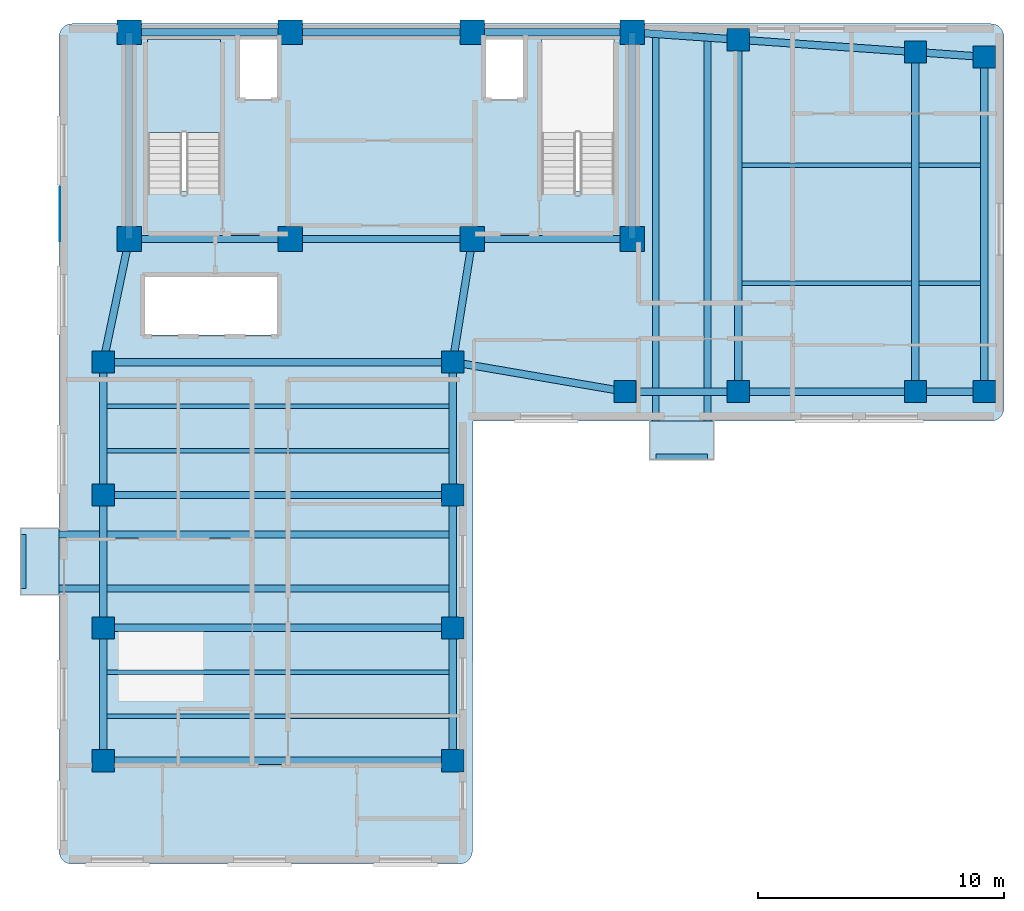
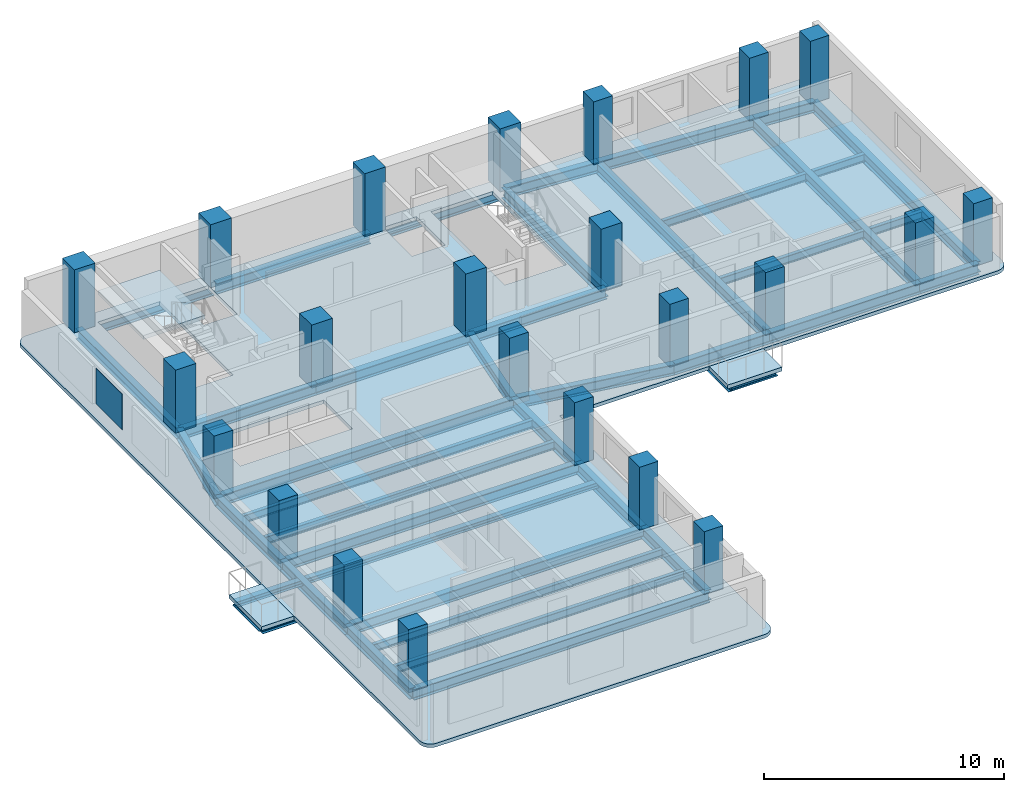
# One storey, part 1 of 7: 44 beams, 23 columns, 4 slabs, 1 plate, 1 element without a shape of its own.
"""IFC4 building model written with IfcOpenShell, lengths in metres."""

from ifc_helpers import new_model, si_unit, direction, frame, origin, origin_2d, place, context, subcontext, project, spatial, polyline, rectangle, i_section, outline, extrude, material, layer, layer_set, material_profile, profile_set, type_object, element, aggregate, save


model = new_model("IFC4")

# Units and contexts
model_context = context("Model", 3, precision=1e-05, world=origin(), true_north=direction((0.0, 1.0)))
body_context = subcontext(model_context, "Body", "Model", "MODEL_VIEW")
ifc_project = project(units=[si_unit("LENGTHUNIT", "METRE"), si_unit("AREAUNIT", "SQUARE_METRE"), si_unit("VOLUMEUNIT", "CUBIC_METRE"), si_unit("PLANEANGLEUNIT", "RADIAN"), si_unit("MASSUNIT", "GRAM", prefix="KILO")], contexts=[model_context])

# Site, building, storey
site_placement = place(None, origin())
site = spatial("IfcSite", under=ifc_project, at=site_placement, CompositionType="ELEMENT")
building_placement = place(site_placement, origin())
building = spatial("IfcBuilding", under=site, at=building_placement, Name="Kuzgunbayir Cultural Tower", CompositionType="ELEMENT")
storey_placement = place(building_placement, frame((0.0, 0.0, 185.60009765625)))
storey = spatial("IfcBuildingStorey", under=building, at=storey_placement, Name="L54", CompositionType="ELEMENT", Elevation=185.60009765625)

# Columns
ifc_material_1 = material(Name="Concrete C50/60", Category="concrete")
ifc_material_profile_1 = material_profile(ifc_material_1, rectangle(XDim=1.0, YDim=1.0, at=origin_2d()), Name="RC 1000x1000")
ifc_profile_set_1 = profile_set([ifc_material_profile_1], Name="Concrete C50/60")
column_type_1 = type_object("IfcColumnType", Name="COL-CORE-1000", PredefinedType="COLUMN", material=ifc_profile_set_1)
for number, where, z_axis, x_axis, name in (
    (1, (6.449951171875, 33.800048828125, 0.0), (0.0, 0.0, 1.0), (1.0, 0.0, 0.0), "L54 T1 Core Boundary Column CC1-1"),
    (2, (13.0, 33.800048828125, 0.0), (0.0, 0.0, 1.0), (1.0, 0.0, 0.0), "L54 T1 Core Boundary Column CC1-2"),
    (3, (20.39990234375, 33.800048828125, 0.0), (0.0, 0.0, 1.0), (1.0, 0.0, 0.0), "L54 T1 Core Boundary Column CC1-3"),
    (4, (26.89990234375, 33.800048828125, 0.0), (0.0, 0.0, 1.0), (1.0, 0.0, 0.0), "L54 T1 Core Boundary Column CC1-4"),
    (5, (6.449951171875, 42.199951171875, 0.0), (0.0, 0.0, 1.0), (1.0, 0.0, 0.0), "L54 T1 Core Boundary Column CC1-5"),
    (6, (13.0, 42.199951171875, 0.0), (0.0, 0.0, 1.0), (1.0, 0.0, 0.0), "L54 T1 Core Boundary Column CC1-6"),
    (7, (20.39990234375, 42.199951171875, 0.0), (0.0, 0.0, 1.0), (1.0, 0.0, 0.0), "L54 T1 Core Boundary Column CC1-7"),
    (8, (26.89990234375, 42.199951171875, 0.0), (0.0, 0.0, 1.0), (1.0, 0.0, 0.0), "L54 T1 Core Boundary Column CC1-8"),
):
    element("IfcColumn", number, at=place(storey_placement, frame(where, z_axis=z_axis, x_axis=x_axis)), inside=storey, type_object=column_type_1, Name=name, PredefinedType="COLUMN", context=body_context, shape_type="SweptSolid", body=[
        extrude(rectangle(XDim=1.0, YDim=1.0, at=origin_2d()), origin(), (0.0, 0.0, 1.0), 3.199951171875),
    ])
ifc_material_profile_2 = material_profile(ifc_material_1, rectangle(XDim=0.89990234375, YDim=0.89990234375, at=origin_2d()), Name="RC 900x900")
ifc_profile_set_2 = profile_set([ifc_material_profile_2], Name="Concrete C50/60")
column_type_2 = type_object("IfcColumnType", Name="COL-T1-900", PredefinedType="COLUMN", material=ifc_profile_set_2)
for number, where, z_axis, x_axis, name in (
    (9, (5.39990234375, 12.60009765625, 0.0), (0.0, 0.0, 1.0), (1.0, 0.0, 0.0), "L54 Tower 1 Wing A Column T1A-W-1"),
    (10, (19.60009765625, 12.60009765625, 0.0), (0.0, 0.0, 1.0), (1.0, 0.0, 0.0), "L54 Tower 1 Wing A Column T1A-E-1"),
    (11, (5.39990234375, 18.0, 0.0), (0.0, 0.0, 1.0), (1.0, 0.0, 0.0), "L54 Tower 1 Wing A Column T1A-W-2"),
    (12, (19.60009765625, 18.0, 0.0), (0.0, 0.0, 1.0), (1.0, 0.0, 0.0), "L54 Tower 1 Wing A Column T1A-E-2"),
    (13, (5.39990234375, 23.39990234375, 0.0), (0.0, 0.0, 1.0), (1.0, 0.0, 0.0), "L54 Tower 1 Wing A Column T1A-W-3"),
    (14, (19.60009765625, 23.39990234375, 0.0), (0.0, 0.0, 1.0), (1.0, 0.0, 0.0), "L54 Tower 1 Wing A Column T1A-E-3"),
    (15, (5.39990234375, 28.800048828125, 0.0), (0.0, 0.0, 1.0), (1.0, 0.0, 0.0), "L54 Tower 1 Wing A Column T1A-W-4"),
    (16, (19.60009765625, 28.800048828125, 0.0), (0.0, 0.0, 1.0), (1.0, 0.0, 0.0), "L54 Tower 1 Wing A Column T1A-E-4"),
    (17, (26.60009765625, 27.60009765625, 0.0), (0.0, 0.0, 1.0), (1.0, 0.0, 0.0), "L54 Tower 1 Wing B Column T1B-1-1"),
    (18, (31.199951171875, 27.60009765625, 0.0), (0.0, 0.0, 1.0), (1.0, 0.0, 0.0), "L54 Tower 1 Wing B Column T1B-2-1"),
    (19, (31.199951171875, 41.89990234375, 0.0), (0.0, 0.0, 1.0), (1.0, 0.0, 0.0), "L54 Tower 1 Wing B Column T1B-2-2"),
    (20, (38.39990234375, 27.60009765625, 0.0), (0.0, 0.0, 1.0), (1.0, 0.0, 0.0), "L54 Tower 1 Wing B Column T1B-3-1"),
    (21, (38.39990234375, 41.39990234375, 0.0), (0.0, 0.0, 1.0), (1.0, 0.0, 0.0), "L54 Tower 1 Wing B Column T1B-3-2"),
    (22, (41.199951171875, 27.60009765625, 0.0), (0.0, 0.0, 1.0), (1.0, 0.0, 0.0), "L54 Tower 1 Wing B Column T1B-4-1"),
    (23, (41.199951171875, 41.199951171875, 0.0), (0.0, 0.0, 1.0), (1.0, 0.0, 0.0), "L54 Tower 1 Wing B Column T1B-4-2"),
):
    element("IfcColumn", number, at=place(storey_placement, frame(where, z_axis=z_axis, x_axis=x_axis)), inside=storey, type_object=column_type_2, Name=name, PredefinedType="COLUMN", context=body_context, shape_type="SweptSolid", body=[
        extrude(rectangle(XDim=0.89990234375, YDim=0.89990234375, at=origin_2d()), origin(), (0.0, 0.0, 1.0), 3.199951171875),
    ])

# Beams
ifc_material_2 = material(Name="Steel S355J2", Category="steel")
ifc_material_profile_3 = material_profile(ifc_material_2, i_section(OverallWidth=0.280029296875, OverallDepth=0.280029296875, WebThickness=0.010498046875, FlangeThickness=0.01806640625, FilletRadius=0.02392578125, at=origin_2d()), Name="HEB 280")
ifc_profile_set_3 = profile_set([ifc_material_profile_3], Name="Steel S355J2")
beam_type_1 = type_object("IfcBeamType", Name="BM-BAL-HEB280", PredefinedType="BEAM", material=ifc_profile_set_3)
for number, where, z_axis, x_axis, name in (
    (24, (2.159912109375, 19.60009765625, -0.340087890625), (1.0, 0.0, 0.0), (0.0, 1.0, 0.0), "L54 Balcony Outrigger Beam BAL-L54-WA2.1"),
    (25, (2.159912109375, 21.800048828125, -0.340087890625), (1.0, 0.0, 0.0), (0.0, 1.0, 0.0), "L54 Balcony Outrigger Beam BAL-L54-WA2.2"),
):
    element("IfcBeam", number, at=place(storey_placement, frame(where, z_axis=z_axis, x_axis=x_axis)), inside=storey, type_object=beam_type_1, Name=name, PredefinedType="BEAM", context=body_context, shape_type="SweptSolid", body=[
        extrude(i_section(OverallWidth=0.280029296875, OverallDepth=0.280029296875, WebThickness=0.010498046875, FlangeThickness=0.01806640625, FilletRadius=0.02392578125, at=origin_2d()), origin(), (0.0, 0.0, 1.0), 17.440185546875),
    ])
beam_1_placement = place(storey_placement, frame((27.85009765625, 24.9599609375, -0.340087890625), z_axis=(0.0, 1.0, 0.0), x_axis=(-1.0, 0.0, 0.0)))
element("IfcBeam", 26, at=beam_1_placement, inside=storey, type_object=beam_type_1, Name="L54 Balcony Outrigger Beam BAL-L54-WB1.1", PredefinedType="BEAM", context=body_context, shape_type="SweptSolid", body=[
    extrude(i_section(OverallWidth=0.280029296875, OverallDepth=0.280029296875, WebThickness=0.010498046875, FlangeThickness=0.01806640625, FilletRadius=0.02392578125, at=origin_2d()), origin(), (0.0, 0.0, 1.0), 17.169921875),
])
beam_2_placement = place(storey_placement, frame((29.949951171875, 24.9599609375, -0.340087890625), z_axis=(0.0, 1.0, 0.0), x_axis=(-1.0, 0.0, 0.0)))
element("IfcBeam", 27, at=beam_2_placement, inside=storey, type_object=beam_type_1, Name="L54 Balcony Outrigger Beam BAL-L54-WB1.2", PredefinedType="BEAM", context=body_context, shape_type="SweptSolid", body=[
    extrude(i_section(OverallWidth=0.280029296875, OverallDepth=0.280029296875, WebThickness=0.010498046875, FlangeThickness=0.01806640625, FilletRadius=0.02392578125, at=origin_2d()), origin(), (0.0, 0.0, 1.0), 17.030029296875),
])
ifc_material_profile_4 = material_profile(ifc_material_2, i_section(OverallWidth=0.199951171875, OverallDepth=0.199951171875, WebThickness=0.009033203125, FlangeThickness=0.014892578125, FilletRadius=0.01806640625, at=origin_2d()), Name="HEB 200")
ifc_profile_set_4 = profile_set([ifc_material_profile_4], Name="Steel S355J2")
beam_type_2 = type_object("IfcBeamType", Name="BM-CAN-HEB200", PredefinedType="BEAM", material=ifc_profile_set_4)
beam_3_placement = place(storey_placement, frame((2.159912109375, 19.60009765625, -0.300048828125), z_axis=(0.0, 1.0, 0.0), x_axis=(-1.0, 0.0, 0.0)))
element("IfcBeam", 28, at=beam_3_placement, inside=storey, type_object=beam_type_2, Name="L54 Balcony Edge Header BAL-L54-WA2", PredefinedType="BEAM", context=body_context, shape_type="SweptSolid", body=[
    extrude(i_section(OverallWidth=0.199951171875, OverallDepth=0.199951171875, WebThickness=0.009033203125, FlangeThickness=0.014892578125, FilletRadius=0.01806640625, at=origin_2d()), origin(), (0.0, 0.0, 1.0), 2.199951171875),
])
beam_4_placement = place(storey_placement, frame((27.85009765625, 24.9599609375, -0.300048828125), z_axis=(1.0, 0.0, 0.0), x_axis=(0.0, 1.0, 0.0)))
element("IfcBeam", 29, at=beam_4_placement, inside=storey, type_object=beam_type_2, Name="L54 Balcony Edge Header BAL-L54-WB1", PredefinedType="BEAM", context=body_context, shape_type="SweptSolid", body=[
    extrude(i_section(OverallWidth=0.199951171875, OverallDepth=0.199951171875, WebThickness=0.009033203125, FlangeThickness=0.014892578125, FilletRadius=0.01806640625, at=origin_2d()), origin(), (0.0, 0.0, 1.0), 2.099853515625),
])
ifc_material_profile_5 = material_profile(ifc_material_2, i_section(OverallWidth=0.300048828125, OverallDepth=0.550048828125, WebThickness=0.014892578125, FlangeThickness=0.029052734375, FilletRadius=0.027099609375, at=origin_2d()), Name="HEB 550")
ifc_profile_set_5 = profile_set([ifc_material_profile_5], Name="Steel S355J2")
beam_type_3 = type_object("IfcBeamType", Name="BM-EXT-HEB550", PredefinedType="BEAM", material=ifc_profile_set_5)
for number, where, z_axis, x_axis, name in (
    (30, (5.39990234375, 12.60009765625, -0.460205078125), (0.0, 1.0, 0.0), (-1.0, 0.0, 0.0), "L54 Wing A West Girder 1"),
    (31, (19.60009765625, 12.60009765625, -0.460205078125), (0.0, 1.0, 0.0), (-1.0, 0.0, 0.0), "L54 Wing A East Girder 1"),
    (32, (5.39990234375, 18.0, -0.460205078125), (0.0, 1.0, 0.0), (-1.0, 0.0, 0.0), "L54 Wing A West Girder 2"),
    (33, (19.60009765625, 18.0, -0.460205078125), (0.0, 1.0, 0.0), (-1.0, 0.0, 0.0), "L54 Wing A East Girder 2"),
):
    element("IfcBeam", number, at=place(storey_placement, frame(where, z_axis=z_axis, x_axis=x_axis)), inside=storey, type_object=beam_type_3, Name=name, PredefinedType="BEAM", context=body_context, shape_type="SweptSolid", body=[
        extrude(i_section(OverallWidth=0.300048828125, OverallDepth=0.550048828125, WebThickness=0.014892578125, FlangeThickness=0.029052734375, FilletRadius=0.027099609375, at=origin_2d()), origin(), (0.0, 0.0, 1.0), 5.39990234375),
    ])
for number, where, z_axis, x_axis, name in (
    (34, (5.39990234375, 23.39990234375, -0.460205078125), (0.0, 1.0, 0.0), (-1.0, 0.0, 0.0), "L54 Wing A West Girder 3"),
    (35, (19.60009765625, 23.39990234375, -0.460205078125), (0.0, 1.0, 0.0), (-1.0, 0.0, 0.0), "L54 Wing A East Girder 3"),
):
    element("IfcBeam", number, at=place(storey_placement, frame(where, z_axis=z_axis, x_axis=x_axis)), inside=storey, type_object=beam_type_3, Name=name, PredefinedType="BEAM", context=body_context, shape_type="SweptSolid", body=[
        extrude(i_section(OverallWidth=0.300048828125, OverallDepth=0.550048828125, WebThickness=0.014892578125, FlangeThickness=0.029052734375, FilletRadius=0.027099609375, at=origin_2d()), origin(), (0.0, 0.0, 1.0), 5.400146484375),
    ])
beam_5_placement = place(storey_placement, frame((26.60009765625, 27.60009765625, -0.460205078125), z_axis=(1.0, 0.0, 0.0), x_axis=(0.0, 1.0, 0.0)))
element("IfcBeam", 36, at=beam_5_placement, inside=storey, type_object=beam_type_3, Name="L54 Wing B South Girder 1", PredefinedType="BEAM", context=body_context, shape_type="SweptSolid", body=[
    extrude(i_section(OverallWidth=0.300048828125, OverallDepth=0.550048828125, WebThickness=0.014892578125, FlangeThickness=0.029052734375, FilletRadius=0.027099609375, at=origin_2d()), origin(), (0.0, 0.0, 1.0), 4.599853515625),
])
beam_6_placement = place(storey_placement, frame((26.89990234375, 42.199951171875, -0.460205078125), z_axis=(0.997574369175, -0.069608749203, 0.0), x_axis=(0.069608749203, 0.997574369175, 0.0)))
element("IfcBeam", 37, at=beam_6_placement, inside=storey, type_object=beam_type_3, Name="L54 Wing B North Girder 1", PredefinedType="BEAM", context=body_context, shape_type="SweptSolid", body=[
    extrude(i_section(OverallWidth=0.300048828125, OverallDepth=0.550048828125, WebThickness=0.014892578125, FlangeThickness=0.029052734375, FilletRadius=0.027099609375, at=origin_2d()), origin(), (0.0, 0.0, 1.0), 4.310546875),
])
beam_7_placement = place(storey_placement, frame((31.199951171875, 27.60009765625, -0.460205078125), z_axis=(1.0, 0.0, 0.0), x_axis=(0.0, 1.0, 0.0)))
element("IfcBeam", 38, at=beam_7_placement, inside=storey, type_object=beam_type_3, Name="L54 Wing B South Girder 2", PredefinedType="BEAM", context=body_context, shape_type="SweptSolid", body=[
    extrude(i_section(OverallWidth=0.300048828125, OverallDepth=0.550048828125, WebThickness=0.014892578125, FlangeThickness=0.029052734375, FilletRadius=0.027099609375, at=origin_2d()), origin(), (0.0, 0.0, 1.0), 7.199951171875),
])
beam_8_placement = place(storey_placement, frame((31.199951171875, 41.89990234375, -0.460205078125), z_axis=(0.997597388498, -0.069278066245, 0.0), x_axis=(0.069278066245, 0.997597388498, 0.0)))
element("IfcBeam", 39, at=beam_8_placement, inside=storey, type_object=beam_type_3, Name="L54 Wing B North Girder 2", PredefinedType="BEAM", context=body_context, shape_type="SweptSolid", body=[
    extrude(i_section(OverallWidth=0.300048828125, OverallDepth=0.550048828125, WebThickness=0.014892578125, FlangeThickness=0.029052734375, FilletRadius=0.027099609375, at=origin_2d()), origin(), (0.0, 0.0, 1.0), 7.21728515625),
])
beam_9_placement = place(storey_placement, frame((38.39990234375, 27.60009765625, -0.460205078125), z_axis=(1.0, 0.0, 0.0), x_axis=(0.0, 1.0, 0.0)))
element("IfcBeam", 40, at=beam_9_placement, inside=storey, type_object=beam_type_3, Name="L54 Wing B South Girder 3", PredefinedType="BEAM", context=body_context, shape_type="SweptSolid", body=[
    extrude(i_section(OverallWidth=0.300048828125, OverallDepth=0.550048828125, WebThickness=0.014892578125, FlangeThickness=0.029052734375, FilletRadius=0.027099609375, at=origin_2d()), origin(), (0.0, 0.0, 1.0), 2.800048828125),
])
beam_10_placement = place(storey_placement, frame((38.39990234375, 41.39990234375, -0.460205078125), z_axis=(0.997460024076, -0.071228508128, 0.0), x_axis=(0.071228508128, 0.997460024076, 0.0)))
element("IfcBeam", 41, at=beam_10_placement, inside=storey, type_object=beam_type_3, Name="L54 Wing B North Girder 3", PredefinedType="BEAM", context=body_context, shape_type="SweptSolid", body=[
    extrude(i_section(OverallWidth=0.300048828125, OverallDepth=0.550048828125, WebThickness=0.014892578125, FlangeThickness=0.029052734375, FilletRadius=0.027099609375, at=origin_2d()), origin(), (0.0, 0.0, 1.0), 2.80712890625),
])
ifc_material_profile_6 = material_profile(ifc_material_2, i_section(OverallWidth=0.300048828125, OverallDepth=0.550048828125, WebThickness=0.014892578125, FlangeThickness=0.029052734375, FilletRadius=0.027099609375, at=origin_2d()), Name="HEB 550")
ifc_profile_set_6 = profile_set([ifc_material_profile_6], Name="Steel S355J2")
beam_type_4 = type_object("IfcBeamType", Name="BM-GIR-HEB550", PredefinedType="BEAM", material=ifc_profile_set_6)
beam_11_placement = place(storey_placement, frame((6.449951171875, 33.800048828125, -0.460205078125), z_axis=(1.0, 0.0, 0.0), x_axis=(0.0, 1.0, 0.0)))
element("IfcBeam", 42, at=beam_11_placement, inside=storey, type_object=beam_type_4, Name="L54 Core South Girder 1", PredefinedType="BEAM", context=body_context, shape_type="SweptSolid", body=[
    extrude(i_section(OverallWidth=0.300048828125, OverallDepth=0.550048828125, WebThickness=0.014892578125, FlangeThickness=0.029052734375, FilletRadius=0.027099609375, at=origin_2d()), origin(), (0.0, 0.0, 1.0), 6.550048828125),
])
beam_12_placement = place(storey_placement, frame((13.0, 33.800048828125, -0.460205078125), z_axis=(1.0, 0.0, 0.0), x_axis=(0.0, 1.0, 0.0)))
element("IfcBeam", 43, at=beam_12_placement, inside=storey, type_object=beam_type_4, Name="L54 Core South Girder 2", PredefinedType="BEAM", context=body_context, shape_type="SweptSolid", body=[
    extrude(i_section(OverallWidth=0.300048828125, OverallDepth=0.550048828125, WebThickness=0.014892578125, FlangeThickness=0.029052734375, FilletRadius=0.027099609375, at=origin_2d()), origin(), (0.0, 0.0, 1.0), 7.39990234375),
])
beam_13_placement = place(storey_placement, frame((20.39990234375, 33.800048828125, -0.460205078125), z_axis=(1.0, 0.0, 0.0), x_axis=(0.0, 1.0, 0.0)))
element("IfcBeam", 44, at=beam_13_placement, inside=storey, type_object=beam_type_4, Name="L54 Core South Girder 3", PredefinedType="BEAM", context=body_context, shape_type="SweptSolid", body=[
    extrude(i_section(OverallWidth=0.300048828125, OverallDepth=0.550048828125, WebThickness=0.014892578125, FlangeThickness=0.029052734375, FilletRadius=0.027099609375, at=origin_2d()), origin(), (0.0, 0.0, 1.0), 6.5),
])
beam_14_placement = place(storey_placement, frame((6.449951171875, 42.199951171875, -0.460205078125), z_axis=(1.0, 0.0, 0.0), x_axis=(0.0, 1.0, 0.0)))
element("IfcBeam", 45, at=beam_14_placement, inside=storey, type_object=beam_type_4, Name="L54 Core North Girder 1", PredefinedType="BEAM", context=body_context, shape_type="SweptSolid", body=[
    extrude(i_section(OverallWidth=0.300048828125, OverallDepth=0.550048828125, WebThickness=0.014892578125, FlangeThickness=0.029052734375, FilletRadius=0.027099609375, at=origin_2d()), origin(), (0.0, 0.0, 1.0), 6.550048828125),
])
beam_15_placement = place(storey_placement, frame((13.0, 42.199951171875, -0.460205078125), z_axis=(1.0, 0.0, 0.0), x_axis=(0.0, 1.0, 0.0)))
element("IfcBeam", 46, at=beam_15_placement, inside=storey, type_object=beam_type_4, Name="L54 Core North Girder 2", PredefinedType="BEAM", context=body_context, shape_type="SweptSolid", body=[
    extrude(i_section(OverallWidth=0.300048828125, OverallDepth=0.550048828125, WebThickness=0.014892578125, FlangeThickness=0.029052734375, FilletRadius=0.027099609375, at=origin_2d()), origin(), (0.0, 0.0, 1.0), 7.39990234375),
])
beam_16_placement = place(storey_placement, frame((20.39990234375, 42.199951171875, -0.460205078125), z_axis=(1.0, 0.0, 0.0), x_axis=(0.0, 1.0, 0.0)))
element("IfcBeam", 47, at=beam_16_placement, inside=storey, type_object=beam_type_4, Name="L54 Core North Girder 3", PredefinedType="BEAM", context=body_context, shape_type="SweptSolid", body=[
    extrude(i_section(OverallWidth=0.300048828125, OverallDepth=0.550048828125, WebThickness=0.014892578125, FlangeThickness=0.029052734375, FilletRadius=0.027099609375, at=origin_2d()), origin(), (0.0, 0.0, 1.0), 6.5),
])
for number, where, z_axis, x_axis, name in (
    (48, (6.449951171875, 33.800048828125, -0.460205078125), (0.0, 1.0, 0.0), (-1.0, 0.0, 0.0), "L54 Core West Edge Girder"),
    (49, (26.89990234375, 33.800048828125, -0.460205078125), (0.0, 1.0, 0.0), (-1.0, 0.0, 0.0), "L54 Core East Edge Girder"),
):
    element("IfcBeam", number, at=place(storey_placement, frame(where, z_axis=z_axis, x_axis=x_axis)), inside=storey, type_object=beam_type_4, Name=name, PredefinedType="BEAM", context=body_context, shape_type="SweptSolid", body=[
        extrude(i_section(OverallWidth=0.300048828125, OverallDepth=0.550048828125, WebThickness=0.014892578125, FlangeThickness=0.029052734375, FilletRadius=0.027099609375, at=origin_2d()), origin(), (0.0, 0.0, 1.0), 8.39990234375),
    ])
for number, where, z_axis, x_axis, name in (
    (50, (5.39990234375, 12.60009765625, -0.460205078125), (1.0, 0.0, 0.0), (0.0, 1.0, 0.0), "L54 Wing A Transverse Girder 1"),
    (51, (5.39990234375, 18.0, -0.460205078125), (1.0, 0.0, 0.0), (0.0, 1.0, 0.0), "L54 Wing A Transverse Girder 2"),
    (52, (5.39990234375, 23.39990234375, -0.460205078125), (1.0, 0.0, 0.0), (0.0, 1.0, 0.0), "L54 Wing A Transverse Girder 3"),
    (53, (5.39990234375, 28.800048828125, -0.460205078125), (1.0, 0.0, 0.0), (0.0, 1.0, 0.0), "L54 Wing A Transverse Girder 4"),
):
    element("IfcBeam", number, at=place(storey_placement, frame(where, z_axis=z_axis, x_axis=x_axis)), inside=storey, type_object=beam_type_4, Name=name, PredefinedType="BEAM", context=body_context, shape_type="SweptSolid", body=[
        extrude(i_section(OverallWidth=0.300048828125, OverallDepth=0.550048828125, WebThickness=0.014892578125, FlangeThickness=0.029052734375, FilletRadius=0.027099609375, at=origin_2d()), origin(), (0.0, 0.0, 1.0), 14.2001953125),
    ])
beam_17_placement = place(storey_placement, frame((5.39990234375, 28.800048828125, -0.460205078125), z_axis=(0.205526387753, 0.978651574329, 0.0), x_axis=(-0.978651574329, 0.205526387753, 0.0)))
element("IfcBeam", 54, at=beam_17_placement, inside=storey, type_object=beam_type_4, Name="L54 Wing A West Core Floor Girder", PredefinedType="BEAM", context=body_context, shape_type="SweptSolid", body=[
    extrude(i_section(OverallWidth=0.300048828125, OverallDepth=0.550048828125, WebThickness=0.014892578125, FlangeThickness=0.029052734375, FilletRadius=0.027099609375, at=origin_2d()), origin(), (0.0, 0.0, 1.0), 5.109130859375),
])
beam_18_placement = place(storey_placement, frame((19.60009765625, 28.800048828125, -0.460205078125), z_axis=(0.157952891656, 0.987446648694, 0.0), x_axis=(-0.987446648694, 0.157952891656, 0.0)))
element("IfcBeam", 55, at=beam_18_placement, inside=storey, type_object=beam_type_4, Name="L54 Wing A East Core Floor Girder", PredefinedType="BEAM", context=body_context, shape_type="SweptSolid", body=[
    extrude(i_section(OverallWidth=0.300048828125, OverallDepth=0.550048828125, WebThickness=0.014892578125, FlangeThickness=0.029052734375, FilletRadius=0.027099609375, at=origin_2d()), origin(), (0.0, 0.0, 1.0), 5.0634765625),
])
beam_19_placement = place(storey_placement, frame((31.199951171875, 27.60009765625, -0.460205078125), z_axis=(0.0, 1.0, 0.0), x_axis=(-1.0, 0.0, 0.0)))
element("IfcBeam", 56, at=beam_19_placement, inside=storey, type_object=beam_type_4, Name="L54 Wing B Cross Girder 31", PredefinedType="BEAM", context=body_context, shape_type="SweptSolid", body=[
    extrude(i_section(OverallWidth=0.300048828125, OverallDepth=0.550048828125, WebThickness=0.014892578125, FlangeThickness=0.029052734375, FilletRadius=0.027099609375, at=origin_2d()), origin(), (0.0, 0.0, 1.0), 14.2998046875),
])
beam_20_placement = place(storey_placement, frame((38.39990234375, 27.60009765625, -0.460205078125), z_axis=(0.0, 1.0, 0.0), x_axis=(-1.0, 0.0, 0.0)))
element("IfcBeam", 57, at=beam_20_placement, inside=storey, type_object=beam_type_4, Name="L54 Wing B Cross Girder 38", PredefinedType="BEAM", context=body_context, shape_type="SweptSolid", body=[
    extrude(i_section(OverallWidth=0.300048828125, OverallDepth=0.550048828125, WebThickness=0.014892578125, FlangeThickness=0.029052734375, FilletRadius=0.027099609375, at=origin_2d()), origin(), (0.0, 0.0, 1.0), 13.7998046875),
])
beam_21_placement = place(storey_placement, frame((41.199951171875, 27.60009765625, -0.460205078125), z_axis=(0.0, 1.0, 0.0), x_axis=(-1.0, 0.0, 0.0)))
element("IfcBeam", 58, at=beam_21_placement, inside=storey, type_object=beam_type_4, Name="L54 Wing B Cross Girder 41", PredefinedType="BEAM", context=body_context, shape_type="SweptSolid", body=[
    extrude(i_section(OverallWidth=0.300048828125, OverallDepth=0.550048828125, WebThickness=0.014892578125, FlangeThickness=0.029052734375, FilletRadius=0.027099609375, at=origin_2d()), origin(), (0.0, 0.0, 1.0), 13.599853515625),
])
beam_22_placement = place(storey_placement, frame((19.60009765625, 28.800048828125, -0.460205078125), z_axis=(0.985623399742, -0.168957136221, 0.0), x_axis=(0.168957136221, 0.985623399742, 0.0)))
element("IfcBeam", 59, at=beam_22_placement, inside=storey, type_object=beam_type_4, Name="L54 Wing B Waist Tie Girder", PredefinedType="BEAM", context=body_context, shape_type="SweptSolid", body=[
    extrude(i_section(OverallWidth=0.300048828125, OverallDepth=0.550048828125, WebThickness=0.014892578125, FlangeThickness=0.029052734375, FilletRadius=0.027099609375, at=origin_2d()), origin(), (0.0, 0.0, 1.0), 7.10205078125),
])
ifc_material_profile_7 = material_profile(ifc_material_2, i_section(OverallWidth=0.179931640625, OverallDepth=0.39990234375, WebThickness=0.008544921875, FlangeThickness=0.013427734375, FilletRadius=0.02099609375, at=origin_2d()), Name="IPE 400")
ifc_profile_set_7 = profile_set([ifc_material_profile_7], Name="Steel S355J2")
beam_type_5 = type_object("IfcBeamType", Name="BM-JST-IPE400", PredefinedType="JOIST", material=ifc_profile_set_7)
for number, where, z_axis, x_axis, name in (
    (60, (5.550048828125, 14.39990234375, -0.380126953125), (1.0, 0.0, 0.0), (0.0, 1.0, 0.0), "L54 Wing A Secondary Joist 1"),
    (61, (5.550048828125, 16.199951171875, -0.380126953125), (1.0, 0.0, 0.0), (0.0, 1.0, 0.0), "L54 Wing A Secondary Joist 2"),
    (62, (5.550048828125, 25.199951171875, -0.380126953125), (1.0, 0.0, 0.0), (0.0, 1.0, 0.0), "L54 Wing A Secondary Joist 5"),
    (63, (5.550048828125, 27.0, -0.380126953125), (1.0, 0.0, 0.0), (0.0, 1.0, 0.0), "L54 Wing A Secondary Joist 6"),
):
    element("IfcBeam", number, at=place(storey_placement, frame(where, z_axis=z_axis, x_axis=x_axis)), inside=storey, type_object=beam_type_5, Name=name, PredefinedType="JOIST", context=body_context, shape_type="SweptSolid", body=[
        extrude(i_section(OverallWidth=0.179931640625, OverallDepth=0.39990234375, WebThickness=0.008544921875, FlangeThickness=0.013427734375, FilletRadius=0.02099609375, at=origin_2d()), origin(), (0.0, 0.0, 1.0), 13.89990234375),
    ])
for number, where, z_axis, x_axis, name in (
    (64, (31.35009765625, 32.0, -0.380126953125), (1.0, 0.0, 0.0), (0.0, 1.0, 0.0), "L54 Wing B Secondary Joist 1.1"),
    (65, (31.35009765625, 36.800048828125, -0.380126953125), (1.0, 0.0, 0.0), (0.0, 1.0, 0.0), "L54 Wing B Secondary Joist 1.2"),
):
    element("IfcBeam", number, at=place(storey_placement, frame(where, z_axis=z_axis, x_axis=x_axis)), inside=storey, type_object=beam_type_5, Name=name, PredefinedType="JOIST", context=body_context, shape_type="SweptSolid", body=[
        extrude(i_section(OverallWidth=0.179931640625, OverallDepth=0.39990234375, WebThickness=0.008544921875, FlangeThickness=0.013427734375, FilletRadius=0.02099609375, at=origin_2d()), origin(), (0.0, 0.0, 1.0), 6.89990234375),
    ])
for number, where, z_axis, x_axis, name in (
    (66, (38.550048828125, 32.0, -0.380126953125), (1.0, 0.0, 0.0), (0.0, 1.0, 0.0), "L54 Wing B Secondary Joist 2.1"),
    (67, (38.550048828125, 36.800048828125, -0.380126953125), (1.0, 0.0, 0.0), (0.0, 1.0, 0.0), "L54 Wing B Secondary Joist 2.2"),
):
    element("IfcBeam", number, at=place(storey_placement, frame(where, z_axis=z_axis, x_axis=x_axis)), inside=storey, type_object=beam_type_5, Name=name, PredefinedType="JOIST", context=body_context, shape_type="SweptSolid", body=[
        extrude(i_section(OverallWidth=0.179931640625, OverallDepth=0.39990234375, WebThickness=0.008544921875, FlangeThickness=0.013427734375, FilletRadius=0.02099609375, at=origin_2d()), origin(), (0.0, 0.0, 1.0), 2.5),
    ])

# Plate
ifc_material_3 = material(Name="Perforated Bronze-Anodised Aluminium", Category="aluminium")
ifc_layer_1 = layer(ifc_material_3, 0.02392578125)
ifc_layer_set_1 = layer_set([ifc_layer_1], Name="Perforated Bronze-Anodised Aluminium")
plate_type = type_object("IfcPlateType", Name="PLT-SOLAR-SCREEN-14", PredefinedType="SHEET", material=ifc_layer_set_1)
plate_placement = place(storey_placement, frame((3.639892578125, 34.800048828125, 0.75), z_axis=(0.0, 0.0, 1.0), x_axis=(1.0, 0.0, 0.0)))
element("IfcPlate", 68, at=plate_placement, inside=storey, type_object=plate_type, Name="L54 Tower 1 Perforated Ceramic Solar Screen Panel", PredefinedType="SHEET", context=body_context, shape_type="SweptSolid", body=[
    extrude(rectangle(XDim=0.02392578125, YDim=2.199951171875, at=origin_2d()), origin(), (0.0, 0.0, 1.0), 1.800048828125),
])

# Slabs
ifc_material_4 = material(Name="Concrete C40/50", Category="concrete")
ifc_layer_2 = layer(ifc_material_4, 0.199951171875)
ifc_layer_set_2 = layer_set([ifc_layer_2], Name="Concrete C40/50")
slab_type_1 = type_object("IfcSlabType", Name="SLB-BAL-STONE", PredefinedType="FLOOR", material=ifc_layer_set_2)
slab_1_placement = place(storey_placement, frame((0.0, 0.0, -0.2001953125)))
element("IfcSlab", 69, at=slab_1_placement, inside=storey, type_object=slab_type_1, Name="L54 Projecting Limestone Balcony BAL-L54-WA2", PredefinedType="FLOOR", context=body_context, shape_type="SweptSolid", body=[
    extrude(outline(polyline([(2.0400390625, 19.35009765625), (3.60009765625, 19.35009765625), (3.60009765625, 22.050048828125), (2.0400390625, 22.050048828125), (2.0400390625, 19.35009765625)])), origin(), (0.0, 0.0, 1.0), 0.2001953125),
])
slab_2_placement = place(storey_placement, frame((0.0, 0.0, -0.2001953125)))
element("IfcSlab", 70, at=slab_2_placement, inside=storey, type_object=slab_type_1, Name="L54 Projecting Limestone Balcony BAL-L54-WB1", PredefinedType="FLOOR", context=body_context, shape_type="SweptSolid", body=[
    extrude(outline(polyline([(27.60009765625, 24.840087890625), (30.199951171875, 24.840087890625), (30.199951171875, 26.39990234375), (27.60009765625, 26.39990234375), (27.60009765625, 24.840087890625)])), origin(), (0.0, 0.0, 1.0), 0.2001953125),
])

# Stair, slab
stair_type = type_object("IfcStairType", Name="STR-EXIT-CORE", PredefinedType="HALF_TURN_STAIR", material=ifc_material_4)
stair_placement = place(storey_placement, origin())
stair = element("IfcStair", 71, at=stair_placement, inside=storey, type_object=stair_type, Name="L54 ST-1", PredefinedType="HALF_TURN_STAIR")
ifc_layer_3 = layer(ifc_material_4, 0.179931640625)
ifc_layer_set_3 = layer_set([ifc_layer_3], Name="Concrete C40/50")
slab_type_2 = type_object("IfcSlabType", Name="SLB-LANDING-180", PredefinedType="LANDING", material=ifc_layer_set_3)
slab_3_placement = place(storey_placement, frame((0.0, 0.0, 1.39990234375)))
slab_3 = element("IfcSlab", 72, at=slab_3_placement, type_object=slab_type_2, Name="ST-1 landing 1", PredefinedType="LANDING", context=body_context, shape_type="SweptSolid", body=[
    extrude(outline(polyline([(10.159912109375, 38.1201171875), (10.159912109375, 41.89990234375), (7.199951171875, 41.89990234375), (7.199951171875, 38.1201171875), (10.159912109375, 38.1201171875)])), origin(), (0.0, 0.0, 1.0), 0.199951171875),
])
aggregate(stair, [slab_3])

# Slab
ifc_layer_4 = layer(ifc_material_4, 0.179931640625)
ifc_layer_set_4 = layer_set([ifc_layer_4], Name="Concrete C40/50")
slab_type_3 = type_object("IfcSlabType", Name="SLB-TYP-180", PredefinedType="FLOOR", material=ifc_layer_set_4)
slab_4_placement = place(storey_placement, frame((0.0, 0.0, -0.18017578125)))
element("IfcSlab", 73, at=slab_4_placement, inside=storey, type_object=slab_type_3, Name="L54 Tower 1 Floor Slab T1-MAIN", PredefinedType="FLOOR", context=body_context, shape_type="SweptSolid", body=[
    extrude(outline(polyline([(20.39990234375, 8.949951171875), (20.389892578125, 8.840087890625), (20.360107421875, 8.739990234375), (20.31005859375, 8.639892578125), (20.239990234375, 8.56005859375), (20.159912109375, 8.489990234375), (20.06005859375, 8.43994140625), (19.9599609375, 8.409912109375), (19.85009765625, 8.39990234375), (4.14990234375, 8.39990234375), (4.0400390625, 8.409912109375), (3.93994140625, 8.43994140625), (3.840087890625, 8.489990234375), (3.760009765625, 8.56005859375), (3.68994140625, 8.639892578125), (3.639892578125, 8.739990234375), (3.610107421875, 8.840087890625), (3.60009765625, 8.949951171875), (3.60009765625, 42.0), (3.610107421875, 42.110107421875), (3.639892578125, 42.2099609375), (3.68994140625, 42.31005859375), (3.760009765625, 42.389892578125), (3.840087890625, 42.4599609375), (3.93994140625, 42.510009765625), (4.0400390625, 42.5400390625), (4.14990234375, 42.550048828125), (41.449951171875, 42.550048828125), (41.56005859375, 42.5400390625), (41.659912109375, 42.510009765625), (41.760009765625, 42.4599609375), (41.840087890625, 42.389892578125), (41.909912109375, 42.31005859375), (41.9599609375, 42.2099609375), (41.989990234375, 42.110107421875), (42.0, 42.0), (42.0, 26.949951171875), (41.989990234375, 26.840087890625), (41.9599609375, 26.739990234375), (41.909912109375, 26.639892578125), (41.840087890625, 26.56005859375), (41.760009765625, 26.489990234375), (41.659912109375, 26.43994140625), (41.56005859375, 26.409912109375), (41.449951171875, 26.39990234375), (20.429931640625, 26.39990234375), (20.39990234375, 8.949951171875)]), holes=[polyline([(7.199951171875, 35.760009765625), (7.199951171875, 41.89990234375), (10.159912109375, 41.89990234375), (10.159912109375, 35.760009765625), (7.199951171875, 35.760009765625)]), polyline([(23.199951171875, 35.760009765625), (23.199951171875, 41.89990234375), (26.159912109375, 41.89990234375), (26.159912109375, 35.760009765625), (23.199951171875, 35.760009765625)]), polyline([(7.10009765625, 29.89990234375), (7.10009765625, 32.300048828125), (12.5, 32.300048828125), (12.5, 29.89990234375), (7.10009765625, 29.89990234375)]), polyline([(10.89990234375, 39.5), (10.89990234375, 41.89990234375), (12.5, 41.89990234375), (12.5, 39.5), (10.89990234375, 39.5)]), polyline([(20.89990234375, 39.5), (20.89990234375, 41.89990234375), (22.5, 41.89990234375), (22.5, 39.5), (20.89990234375, 39.5)])]), origin(), (0.0, 0.0, 1.0), 0.18017578125),
])

save(model, "model.ifc")
